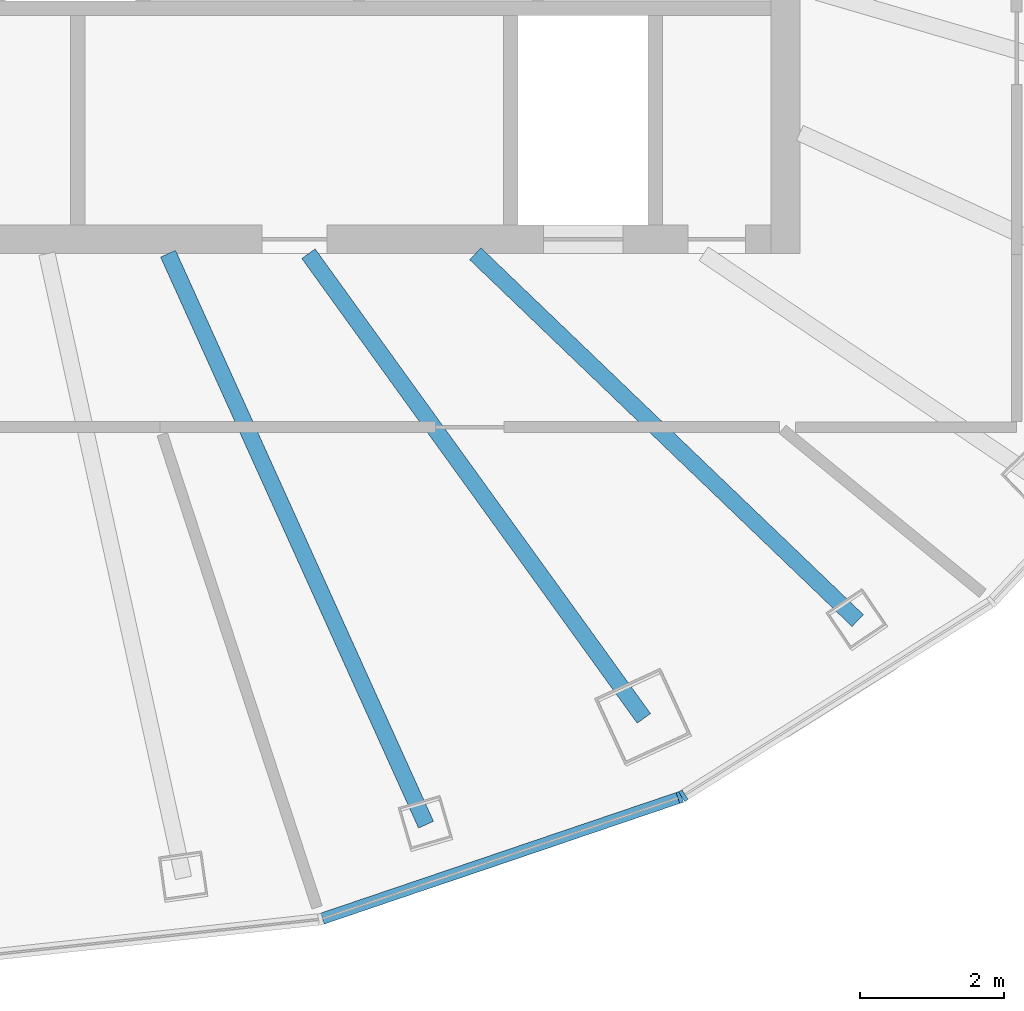
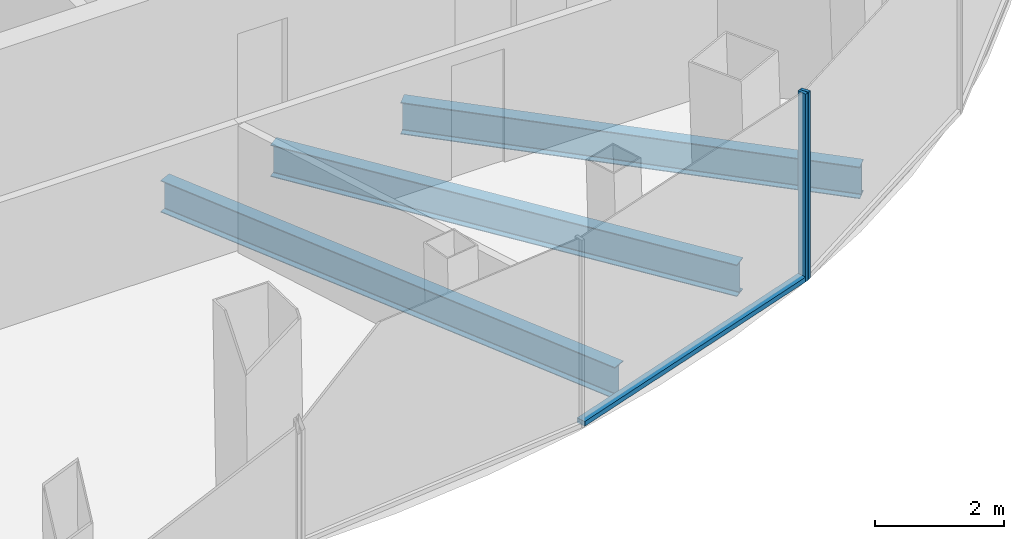
# One storey, part 3 of 11: 3 beams, 3 members, 2 elements without a shape of their own.
"""IFC4 building model written with IfcOpenShell, lengths in metres."""

from ifc_helpers import new_model, si_unit, direction, frame, origin, origin_2d, place, context, subcontext, project, spatial, rectangle, i_section, extrude, material, layer, layer_set, material_profile, profile_set, type_object, element, aggregate, save


model = new_model("IFC4")

# Units and contexts
model_context = context("Model", 3, precision=1e-05, world=origin(), true_north=direction((0.0, 1.0)))
body_context = subcontext(model_context, "Body", "Model", "MODEL_VIEW")
ifc_project = project(units=[si_unit("LENGTHUNIT", "METRE"), si_unit("AREAUNIT", "SQUARE_METRE"), si_unit("VOLUMEUNIT", "CUBIC_METRE"), si_unit("PLANEANGLEUNIT", "RADIAN"), si_unit("MASSUNIT", "GRAM", prefix="KILO")], contexts=[model_context])

# Site, building, storey
site_placement = place(None, origin())
site = spatial("IfcSite", under=ifc_project, at=site_placement, CompositionType="ELEMENT")
building_placement = place(site_placement, origin())
building = spatial("IfcBuilding", under=site, at=building_placement, Name="Siaravel Broadcast Tower", CompositionType="ELEMENT")
storey_placement = place(building_placement, frame((0.0, 0.0, 257.800048828125)))
storey = spatial("IfcBuildingStorey", under=building, at=storey_placement, Name="L63", CompositionType="ELEMENT", Elevation=257.800048828125)

# Beams
ifc_material_1 = material(Name="Steel S355", Category="steel")
ifc_material_profile_1 = material_profile(ifc_material_1, i_section(OverallWidth=0.2275390625, OverallDepth=0.6025390625, WebThickness=0.010498046875, FlangeThickness=0.014892578125, FilletRadius=0.0126953125, at=origin_2d()))
ifc_profile_set_1 = profile_set([ifc_material_profile_1], Name="Steel S355")
beam_type = type_object("IfcBeamType", Name="BM-UB 610x229x101", PredefinedType="BEAM", material=ifc_profile_set_1)
beam_1_placement = place(storey_placement, frame((6.82373046875, -15.1044921875, -0.451416015625), z_axis=(-0.41170663, 0.911316439, 0.0), x_axis=(-0.911316439, -0.41170663, 0.0)))
element("IfcBeam", 1, at=beam_1_placement, inside=storey, type_object=beam_type, Name="Radial beam RB30", PredefinedType="BEAM", context=body_context, shape_type="SweptSolid", body=[
    extrude(i_section(OverallWidth=0.2275390625, OverallDepth=0.6025390625, WebThickness=0.010498046875, FlangeThickness=0.014892578125, FilletRadius=0.0126953125, at=origin_2d()), origin(), (0.0, 0.0, 1.0), 8.673828125),
])
beam_2_placement = place(storey_placement, frame((9.839599609375, -13.632568359375, -0.451416015625), z_axis=(-0.585245577, 0.8108561, 0.0), x_axis=(-0.8108561, -0.585245577, 0.0)))
element("IfcBeam", 2, at=beam_2_placement, inside=storey, type_object=beam_type, Name="Radial beam RB31", PredefinedType="BEAM", context=body_context, shape_type="SweptSolid", body=[
    extrude(i_section(OverallWidth=0.2275390625, OverallDepth=0.6025390625, WebThickness=0.010498046875, FlangeThickness=0.014892578125, FilletRadius=0.0126953125, at=origin_2d()), origin(), (0.0, 0.0, 1.0), 7.93310546875),
])
beam_3_placement = place(storey_placement, frame((12.80078125, -12.279052734375, -0.451416015625), z_axis=(-0.721645274, 0.692263027, 0.0), x_axis=(-0.692263027, -0.721645274, 0.0)))
element("IfcBeam", 3, at=beam_3_placement, inside=storey, type_object=beam_type, Name="Radial beam RB32", PredefinedType="BEAM", context=body_context, shape_type="SweptSolid", body=[
    extrude(i_section(OverallWidth=0.2275390625, OverallDepth=0.6025390625, WebThickness=0.010498046875, FlangeThickness=0.014892578125, FilletRadius=0.0126953125, at=origin_2d()), origin(), (0.0, 0.0, 1.0), 7.3369140625),
])

# Curtain wall, member
ifc_material_2 = material(Name="Aluminium 6063-T6", Category="aluminium")
ifc_layer = layer(ifc_material_2, 0.159912109375)
ifc_layer_set = layer_set([ifc_layer], Name="Aluminium 6063-T6")
curtain_wall_type = type_object("IfcCurtainWallType", Name="Unitised curtain wall, zone 4", PredefinedType="NOTDEFINED", material=ifc_layer_set)
curtain_wall_1_placement = place(storey_placement, origin())
curtain_wall_1 = element("IfcCurtainWall", 4, at=curtain_wall_1_placement, inside=storey, type_object=curtain_wall_type, Name="L63 Unitised curtain wall, zone 4 10", PredefinedType="NOTDEFINED")
ifc_material_profile_2 = material_profile(ifc_material_2, rectangle(XDim=0.159912109375, YDim=0.054931640625, at=origin_2d()))
ifc_profile_set_2 = profile_set([ifc_material_profile_2], Name="Aluminium 6063-T6")
member_type_1 = type_object("IfcMemberType", Name="CW-Z4 mullion", PredefinedType="MULLION", material=ifc_profile_set_2)
member_1_placement = place(storey_placement, frame((10.337158203125, -14.726318359375, 0.0), z_axis=(0.0, 0.0, 1.0), x_axis=(-0.321301584, 0.946976923, 0.0)))
member_1 = element("IfcMember", 5, at=member_1_placement, type_object=member_type_1, Name="CW-Z4 mullion 3", PredefinedType="MULLION", context=body_context, shape_type="SweptSolid", body=[
    extrude(rectangle(XDim=0.159912109375, YDim=0.054931640625, at=origin_2d()), origin(), (0.0, 0.0, 1.0), 3.550048828125),
])

curtain_wall_2_placement = place(storey_placement, origin())
curtain_wall_2 = element("IfcCurtainWall", 6, at=curtain_wall_2_placement, inside=storey, type_object=curtain_wall_type, Name="L63 Unitised curtain wall, zone 4 11", PredefinedType="NOTDEFINED")
member_2_placement = place(storey_placement, frame((10.386474609375, -14.702880859375, 0.0), z_axis=(0.0, 0.0, 1.0), x_axis=(-0.532150638, 0.84664969, 0.0)))
member_2 = element("IfcMember", 7, at=member_2_placement, type_object=member_type_1, Name="CW-Z4 mullion 1", PredefinedType="MULLION", context=body_context, shape_type="SweptSolid", body=[
    extrude(rectangle(XDim=0.159912109375, YDim=0.054931640625, at=origin_2d()), origin(), (0.0, 0.0, 1.0), 3.550048828125),
])
aggregate(curtain_wall_2, [member_2])

# Member
ifc_material_profile_3 = material_profile(ifc_material_2, rectangle(XDim=0.159912109375, YDim=0.090087890625, at=origin_2d()))
ifc_profile_set_3 = profile_set([ifc_material_profile_3], Name="Aluminium 6063-T6")
member_type_2 = type_object("IfcMemberType", Name="CW-Z4 transom", PredefinedType="USERDEFINED", material=ifc_profile_set_3)
member_3_placement = place(storey_placement, frame((5.39013671875, -16.40478515625, 0.044921875), z_axis=(0.946973595, 0.321311392, 0.0), x_axis=(-0.321311392, 0.946973595, 0.0)))
member_3 = element("IfcMember", 8, at=member_3_placement, type_object=member_type_2, Name="CW-Z4 transom 2", ObjectType="TRANSOM", PredefinedType="USERDEFINED", context=body_context, shape_type="SweptSolid", body=[
    extrude(rectangle(XDim=0.159912109375, YDim=0.090087890625, at=origin_2d()), origin(), (0.0, 0.0, 1.0), 5.196533203125),
])

aggregate(curtain_wall_1, [member_1, member_3])

save(model, "model.ifc")
